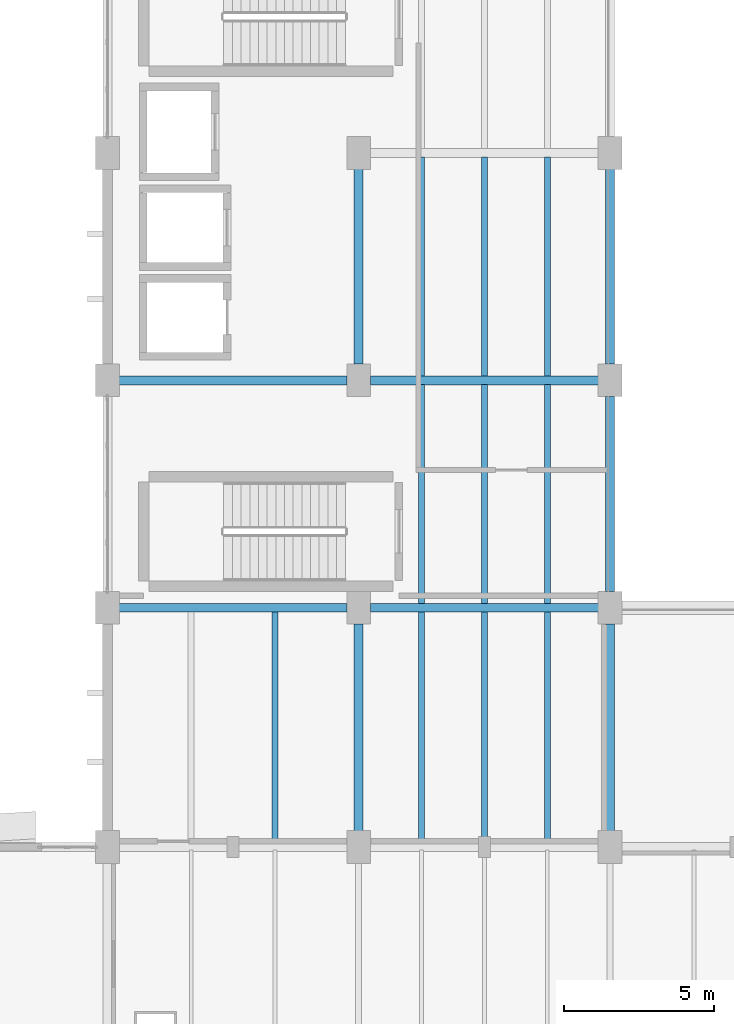
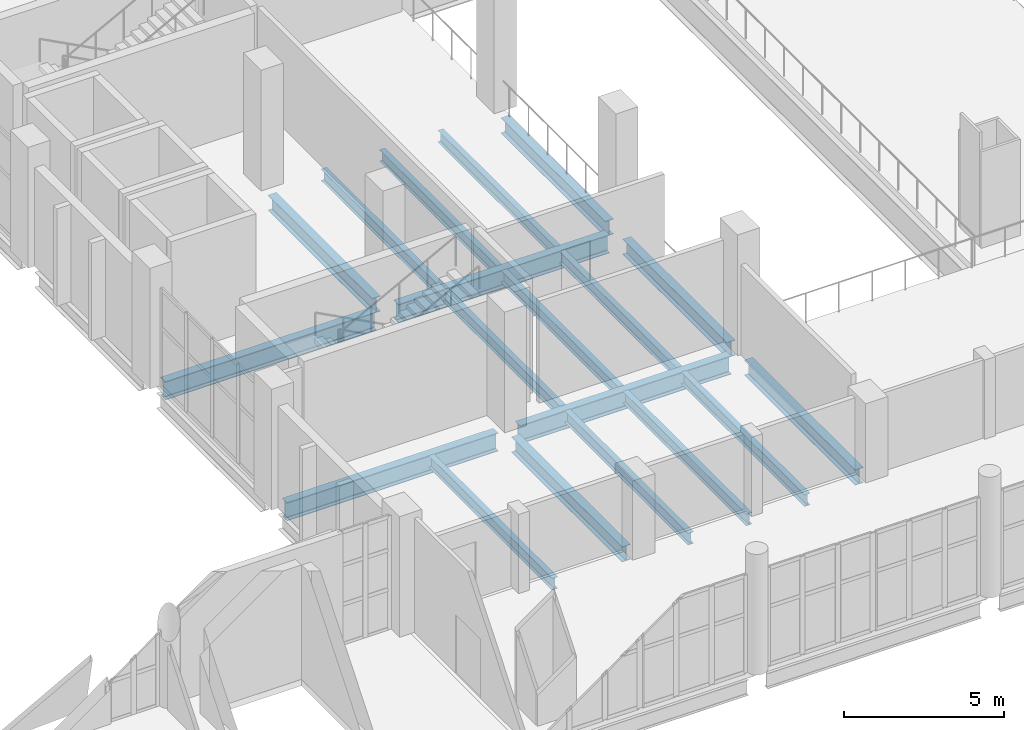
# One storey, part 33 of 74: 19 beams.
"""IFC4 building model written with IfcOpenShell, lengths in metres."""

from ifc_helpers import new_model, si_unit, direction, frame, origin, origin_2d, place, context, subcontext, project, spatial, i_section, extrude, material, material_profile, profile_set, type_object, element, save


model = new_model("IFC4")

# Units and contexts
model_context = context("Model", 3, precision=1e-05, world=origin(), true_north=direction((0.0, 1.0)))
body_context = subcontext(model_context, "Body", "Model", "MODEL_VIEW")
ifc_project = project(units=[si_unit("LENGTHUNIT", "METRE"), si_unit("AREAUNIT", "SQUARE_METRE"), si_unit("VOLUMEUNIT", "CUBIC_METRE"), si_unit("PLANEANGLEUNIT", "RADIAN"), si_unit("MASSUNIT", "GRAM", prefix="KILO")], contexts=[model_context])

# Site, building, storey
site_placement = place(None, origin())
site = spatial("IfcSite", under=ifc_project, at=site_placement, CompositionType="ELEMENT")
building_placement = place(site_placement, origin())
building = spatial("IfcBuilding", under=site, at=building_placement, Name="Shengluoqiao Park Theatre", CompositionType="ELEMENT")
storey_placement = place(building_placement, frame((0.0, 0.0, 14.60009765625)))
storey = spatial("IfcBuildingStorey", under=building, at=storey_placement, Name="L03", CompositionType="ELEMENT", Elevation=14.60009765625)

# Beams
ifc_material_1 = material(Name="Steel Q355", Category="steel")
ifc_material_profile_1 = material_profile(ifc_material_1, i_section(OverallWidth=0.300048828125, OverallDepth=0.587890625, WebThickness=0.011962890625, FlangeThickness=0.02001953125, FilletRadius=0.02392578125, at=origin_2d()), Name="HM 588x300x12x20")
ifc_profile_set_1 = profile_set([ifc_material_profile_1], Name="Steel Q355")
beam_type_1 = type_object("IfcBeamType", Name="STR-BM-G-HM588", PredefinedType="BEAM", material=ifc_profile_set_1)
beam_1_placement = place(storey_placement, frame((52.800048828125, 76.5439453125, -0.5341796875), z_axis=(0.0, 1.0, 0.0), x_axis=(-1.0, 0.0, 0.0)))
element("IfcBeam", 1, at=beam_1_placement, inside=storey, type_object=beam_type_1, Name="L03 Transverse Girder 01219", PredefinedType="BEAM", context=body_context, shape_type="SweptSolid", body=[
    extrude(i_section(OverallWidth=0.300048828125, OverallDepth=0.587890625, WebThickness=0.011962890625, FlangeThickness=0.02001953125, FilletRadius=0.02392578125, at=origin_2d()), origin(), (0.0, 0.0, 1.0), 6.912109375),
])
beam_2_placement = place(storey_placement, frame((52.800048828125, 92.14404296875, -0.5341796875), z_axis=(0.0, 1.0, 0.0), x_axis=(-1.0, 0.0, 0.0)))
element("IfcBeam", 2, at=beam_2_placement, inside=storey, type_object=beam_type_1, Name="L03 Transverse Girder 01220", PredefinedType="BEAM", context=body_context, shape_type="SweptSolid", body=[
    extrude(i_section(OverallWidth=0.300048828125, OverallDepth=0.587890625, WebThickness=0.011962890625, FlangeThickness=0.02001953125, FilletRadius=0.02392578125, at=origin_2d()), origin(), (0.0, 0.0, 1.0), 6.511962890625),
])
beam_3_placement = place(storey_placement, frame((61.199951171875, 76.5439453125, -0.544189453125), z_axis=(0.0, 1.0, 0.0), x_axis=(-1.0, 0.0, 0.0)))
element("IfcBeam", 3, at=beam_3_placement, inside=storey, type_object=beam_type_1, Name="L03 Transverse Girder 01222", PredefinedType="BEAM", context=body_context, shape_type="SweptSolid", body=[
    extrude(i_section(OverallWidth=0.300048828125, OverallDepth=0.587890625, WebThickness=0.011962890625, FlangeThickness=0.02001953125, FilletRadius=0.02392578125, at=origin_2d()), origin(), (0.0, 0.0, 1.0), 6.912109375),
])
for number, where, z_axis, x_axis, name in (
    (4, (61.199951171875, 84.5439453125, -0.544189453125), (0.0, 1.0, 0.0), (-1.0, 0.0, 0.0), "L03 Transverse Girder 01223"),
    (5, (61.199951171875, 92.14404296875, -0.5341796875), (0.0, 1.0, 0.0), (-1.0, 0.0, 0.0), "L03 Transverse Girder 01224"),
):
    element("IfcBeam", number, at=place(storey_placement, frame(where, z_axis=z_axis, x_axis=x_axis)), inside=storey, type_object=beam_type_1, Name=name, PredefinedType="BEAM", context=body_context, shape_type="SweptSolid", body=[
        extrude(i_section(OverallWidth=0.300048828125, OverallDepth=0.587890625, WebThickness=0.011962890625, FlangeThickness=0.02001953125, FilletRadius=0.02392578125, at=origin_2d()), origin(), (0.0, 0.0, 1.0), 6.511962890625),
    ])
ifc_material_2 = material(Name="Steel Q390", Category="steel")
ifc_material_profile_2 = material_profile(ifc_material_2, i_section(OverallWidth=0.300048828125, OverallDepth=0.699951171875, WebThickness=0.012939453125, FlangeThickness=0.02392578125, FilletRadius=0.02392578125, at=origin_2d()), Name="HN 700x300x13x24")
ifc_profile_set_2 = profile_set([ifc_material_profile_2], Name="Steel Q390")
beam_type_2 = type_object("IfcBeamType", Name="STR-BM-G-HN700", PredefinedType="BEAM", material=ifc_profile_set_2)
beam_4_placement = place(storey_placement, frame((44.7939453125, 84.0, -0.590087890625), z_axis=(1.0, 0.0, 0.0), x_axis=(0.0, 1.0, 0.0)))
element("IfcBeam", 6, at=beam_4_placement, inside=storey, type_object=beam_type_2, Name="L03 Primary Girder 01205", PredefinedType="BEAM", context=body_context, shape_type="SweptSolid", body=[
    extrude(i_section(OverallWidth=0.300048828125, OverallDepth=0.699951171875, WebThickness=0.012939453125, FlangeThickness=0.02392578125, FilletRadius=0.02392578125, at=origin_2d()), origin(), (0.0, 0.0, 1.0), 7.612060546875),
])
beam_5_placement = place(storey_placement, frame((53.194091796875, 84.0, -0.60009765625), z_axis=(1.0, 0.0, 0.0), x_axis=(0.0, 1.0, 0.0)))
element("IfcBeam", 7, at=beam_5_placement, inside=storey, type_object=beam_type_2, Name="L03 Primary Girder 01206", PredefinedType="BEAM", context=body_context, shape_type="SweptSolid", body=[
    extrude(i_section(OverallWidth=0.300048828125, OverallDepth=0.699951171875, WebThickness=0.012939453125, FlangeThickness=0.02392578125, FilletRadius=0.02392578125, at=origin_2d()), origin(), (0.0, 0.0, 1.0), 7.61181640625),
])
beam_6_placement = place(storey_placement, frame((44.7939453125, 91.60009765625, -0.590087890625), z_axis=(1.0, 0.0, 0.0), x_axis=(0.0, 1.0, 0.0)))
element("IfcBeam", 8, at=beam_6_placement, inside=storey, type_object=beam_type_2, Name="L03 Primary Girder 01207", PredefinedType="BEAM", context=body_context, shape_type="SweptSolid", body=[
    extrude(i_section(OverallWidth=0.300048828125, OverallDepth=0.699951171875, WebThickness=0.012939453125, FlangeThickness=0.02392578125, FilletRadius=0.02392578125, at=origin_2d()), origin(), (0.0, 0.0, 1.0), 7.612060546875),
])
beam_7_placement = place(storey_placement, frame((53.194091796875, 91.60009765625, -0.590087890625), z_axis=(1.0, 0.0, 0.0), x_axis=(0.0, 1.0, 0.0)))
element("IfcBeam", 9, at=beam_7_placement, inside=storey, type_object=beam_type_2, Name="L03 Primary Girder 01208", PredefinedType="BEAM", context=body_context, shape_type="SweptSolid", body=[
    extrude(i_section(OverallWidth=0.300048828125, OverallDepth=0.699951171875, WebThickness=0.012939453125, FlangeThickness=0.02392578125, FilletRadius=0.02392578125, at=origin_2d()), origin(), (0.0, 0.0, 1.0), 7.61181640625),
])
ifc_material_profile_3 = material_profile(ifc_material_1, i_section(OverallWidth=0.199951171875, OverallDepth=0.449951171875, WebThickness=0.009033203125, FlangeThickness=0.013916015625, FilletRadius=0.01611328125, at=origin_2d()), Name="HN 450x200x9x14")
ifc_profile_set_3 = profile_set([ifc_material_profile_3], Name="Steel Q355")
beam_type_3 = type_object("IfcBeamType", Name="STR-BM-J-HN450", PredefinedType="JOIST", material=ifc_profile_set_3)
for number, where, z_axis, x_axis, name in (
    (10, (50.0, 76.14501953125, -0.465087890625), (0.0, 1.0, 0.0), (-1.0, 0.0, 0.0), "L03 Composite Joist 01228"),
    (11, (54.89990234375, 76.14501953125, -0.465087890625), (0.0, 1.0, 0.0), (-1.0, 0.0, 0.0), "L03 Composite Joist 01231"),
    (12, (57.0, 76.14501953125, -0.465087890625), (0.0, 1.0, 0.0), (-1.0, 0.0, 0.0), "L03 Composite Joist 01232"),
    (13, (59.10009765625, 76.14501953125, -0.465087890625), (0.0, 1.0, 0.0), (-1.0, 0.0, 0.0), "L03 Composite Joist 01233"),
):
    element("IfcBeam", number, at=place(storey_placement, frame(where, z_axis=z_axis, x_axis=x_axis)), inside=storey, type_object=beam_type_3, Name=name, PredefinedType="JOIST", context=body_context, shape_type="SweptSolid", body=[
        extrude(i_section(OverallWidth=0.199951171875, OverallDepth=0.449951171875, WebThickness=0.009033203125, FlangeThickness=0.013916015625, FilletRadius=0.01611328125, at=origin_2d()), origin(), (0.0, 0.0, 1.0), 7.7099609375),
    ])
for number, where, z_axis, x_axis, name in (
    (14, (54.89990234375, 84.14501953125, -0.465087890625), (0.0, 1.0, 0.0), (-1.0, 0.0, 0.0), "L03 Composite Joist 01234"),
    (15, (57.0, 84.14501953125, -0.465087890625), (0.0, 1.0, 0.0), (-1.0, 0.0, 0.0), "L03 Composite Joist 01235"),
    (16, (59.10009765625, 84.14501953125, -0.465087890625), (0.0, 1.0, 0.0), (-1.0, 0.0, 0.0), "L03 Composite Joist 01236"),
):
    element("IfcBeam", number, at=place(storey_placement, frame(where, z_axis=z_axis, x_axis=x_axis)), inside=storey, type_object=beam_type_3, Name=name, PredefinedType="JOIST", context=body_context, shape_type="SweptSolid", body=[
        extrude(i_section(OverallWidth=0.199951171875, OverallDepth=0.449951171875, WebThickness=0.009033203125, FlangeThickness=0.013916015625, FilletRadius=0.01611328125, at=origin_2d()), origin(), (0.0, 0.0, 1.0), 7.31005859375),
    ])
for number, where, z_axis, x_axis, name in (
    (17, (54.89990234375, 91.7451171875, -0.465087890625), (0.0, 1.0, 0.0), (-1.0, 0.0, 0.0), "L03 Composite Joist 01237"),
    (18, (57.0, 91.7451171875, -0.465087890625), (0.0, 1.0, 0.0), (-1.0, 0.0, 0.0), "L03 Composite Joist 01238"),
    (19, (59.10009765625, 91.7451171875, -0.465087890625), (0.0, 1.0, 0.0), (-1.0, 0.0, 0.0), "L03 Composite Joist 01239"),
):
    element("IfcBeam", number, at=place(storey_placement, frame(where, z_axis=z_axis, x_axis=x_axis)), inside=storey, type_object=beam_type_3, Name=name, PredefinedType="JOIST", context=body_context, shape_type="SweptSolid", body=[
        extrude(i_section(OverallWidth=0.199951171875, OverallDepth=0.449951171875, WebThickness=0.009033203125, FlangeThickness=0.013916015625, FilletRadius=0.01611328125, at=origin_2d()), origin(), (0.0, 0.0, 1.0), 7.309814453125),
    ])

save(model, "model.ifc")
